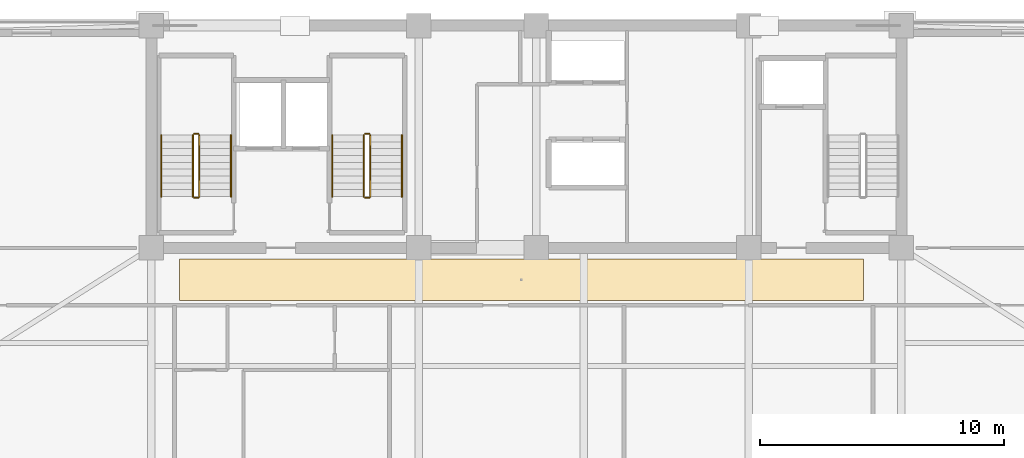
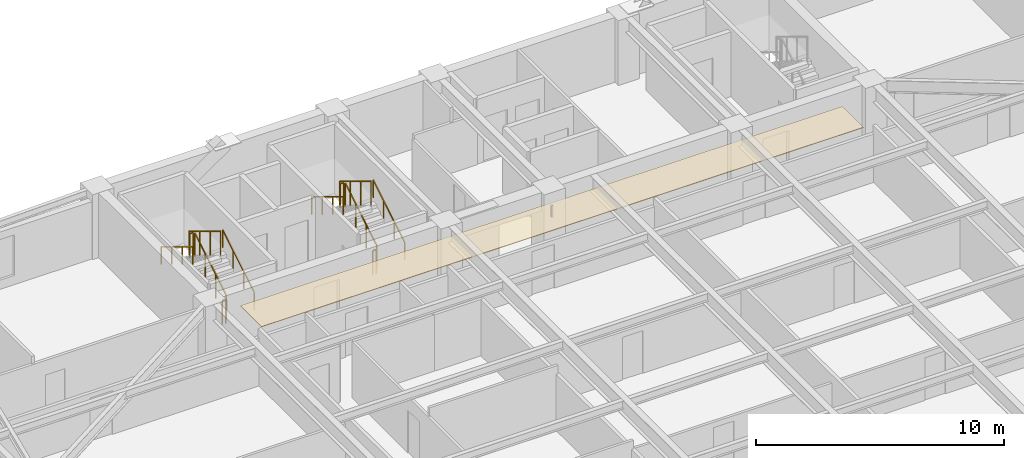
# One storey, part 14 of 16: 12 railings, 1 covering.
"""IFC4 building model written with IfcOpenShell, lengths in metres."""

from ifc_helpers import new_model, si_unit, direction, frame, origin, origin_2d, place, context, subcontext, project, spatial, polyline, rectangle, outline, extrude, material, layer, layer_set, type_object, element, save


model = new_model("IFC4")

# Units and contexts
model_context = context("Model", 3, precision=1e-05, world=origin(), true_north=direction((0.0, 1.0)))
body_context = subcontext(model_context, "Body", "Model", "MODEL_VIEW")
ifc_project = project(units=[si_unit("LENGTHUNIT", "METRE"), si_unit("AREAUNIT", "SQUARE_METRE"), si_unit("VOLUMEUNIT", "CUBIC_METRE"), si_unit("PLANEANGLEUNIT", "RADIAN"), si_unit("MASSUNIT", "GRAM", prefix="KILO")], contexts=[model_context])

# Site, building, storey
site_placement = place(None, origin())
site = spatial("IfcSite", under=ifc_project, at=site_placement, CompositionType="ELEMENT")
building_placement = place(site_placement, origin())
building = spatial("IfcBuilding", under=site, at=building_placement, Name="Giltprow Tower", CompositionType="ELEMENT")
storey_placement = place(building_placement, frame((0.0, 0.0, 227.0)))
storey = spatial("IfcBuildingStorey", under=building, at=storey_placement, Name="L57", CompositionType="ELEMENT", Elevation=227.0)

# Covering
ifc_material_1 = material(Name="Painted gypsum board", Category="gypsum")
ifc_layer = layer(ifc_material_1, 0.030029296875, Name="Painted gypsum board")
ifc_layer_set = layer_set([ifc_layer], Name="Painted gypsum board")
covering_type = type_object("IfcCoveringType", Name="COV-CLG-GYPSUM", PredefinedType="CEILING", material=ifc_layer_set)
covering_placement = place(storey_placement, frame((0.0, 0.0, 2.6201171875)))
element("IfcCovering", 1, at=covering_placement, inside=storey, type_object=covering_type, Name="L57 Residence Gallery Ceiling", PredefinedType="CEILING", context=body_context, shape_type="SweptSolid", body=[
    extrude(outline(polyline([(21.0, 35.300048828125), (49.0, 35.300048828125), (49.0, 37.0), (21.0, 37.0), (21.0, 35.300048828125)])), origin(), (0.0, 0.0, 1.0), 0.02978515625),
])

# Railings
ifc_material_2 = material(Name="Anodized bronze", Category="metal")
railing_type_1 = type_object("IfcRailingType", Name="RAIL-STAIR-GUARD-1200", PredefinedType="GUARDRAIL", material=ifc_material_2)
railing_1_placement = place(storey_placement, frame((21.81005859375, 39.550048828125, 0.169921875)))
element("IfcRailing", 2, at=railing_1_placement, inside=storey, type_object=railing_type_1, Name="L57 ST-1 stair guard 1", PredefinedType="GUARDRAIL", context=body_context, shape_type="SweptSolid", body=[
    extrude(rectangle(XDim=0.048095703125, YDim=0.048095703125, at=origin_2d()), frame((0.0, 0.0, 1.17578125), z_axis=(0.0, 0.85478489116, 0.518982456201), x_axis=(-1.0, 0.0, 0.0)), (0.0, 0.0, 1.0), 2.9482421875),
    extrude(rectangle(XDim=0.0419921875, YDim=0.0419921875, at=origin_2d()), origin(), (0.0, 0.0, 1.0), 1.15185546875),
    extrude(rectangle(XDim=0.0419921875, YDim=0.0419921875, at=origin_2d()), frame((0.0, 0.840087890625, 0.510009765625)), (0.0, 0.0, 1.0), 1.15185546875),
    extrude(rectangle(XDim=0.0419921875, YDim=0.0419921875, at=origin_2d()), frame((0.0, 1.679931640625, 1.02001953125)), (0.0, 0.0, 1.0), 1.15185546875),
    extrude(rectangle(XDim=0.0419921875, YDim=0.0419921875, at=origin_2d()), frame((0.0, 2.52001953125, 1.530029296875)), (0.0, 0.0, 1.0), 1.15185546875),
])
railing_2_placement = place(storey_placement, frame((21.760009765625, 42.1201171875, 1.699951171875)))
element("IfcRailing", 3, at=railing_2_placement, inside=storey, type_object=railing_type_1, Name="L57 ST-1 stair guard 2", PredefinedType="GUARDRAIL", context=body_context, shape_type="SweptSolid", body=[
    extrude(rectangle(XDim=0.048095703125, YDim=0.048095703125, at=origin_2d()), frame((0.0, 0.0, 1.17578125), z_axis=(-1.0, 0.0, 0.0), x_axis=(0.0, -1.0, 0.0)), (0.0, 0.0, 1.0), 0.159912109375),
    extrude(rectangle(XDim=0.0419921875, YDim=0.0419921875, at=origin_2d()), origin(), (0.0, 0.0, 1.0), 1.15185546875),
    extrude(rectangle(XDim=0.0419921875, YDim=0.0419921875, at=origin_2d()), frame((-0.159912109375, 0.0, 0.0)), (0.0, 0.0, 1.0), 1.15185546875),
])
railing_3_placement = place(storey_placement, frame((21.550048828125, 42.070068359375, 1.8701171875)))
element("IfcRailing", 4, at=railing_3_placement, inside=storey, type_object=railing_type_1, Name="L57 ST-1 stair guard 3", PredefinedType="GUARDRAIL", context=body_context, shape_type="SweptSolid", body=[
    extrude(rectangle(XDim=0.048095703125, YDim=0.048095703125, at=origin_2d()), frame((0.0, 0.0, 1.17578125), z_axis=(0.0, -0.854821627497, 0.518921945155), x_axis=(1.0, 0.0, 0.0)), (0.0, 0.0, 1.0), 2.947998046875),
    extrude(rectangle(XDim=0.0419921875, YDim=0.0419921875, at=origin_2d()), origin(), (0.0, 0.0, 1.0), 1.15185546875),
    extrude(rectangle(XDim=0.0419921875, YDim=0.0419921875, at=origin_2d()), frame((0.0, -0.840087890625, 0.510009765625)), (0.0, 0.0, 1.0), 1.15185546875),
    extrude(rectangle(XDim=0.0419921875, YDim=0.0419921875, at=origin_2d()), frame((0.0, -1.679931640625, 1.019775390625)), (0.0, 0.0, 1.0), 1.15185546875),
    extrude(rectangle(XDim=0.0419921875, YDim=0.0419921875, at=origin_2d()), frame((0.0, -2.52001953125, 1.52978515625)), (0.0, 0.0, 1.0), 1.15185546875),
])
railing_4_placement = place(storey_placement, frame((21.760009765625, 39.5, 0.0)))
element("IfcRailing", 5, at=railing_4_placement, inside=storey, type_object=railing_type_1, Name="L57 ST-1 stair guard 4", PredefinedType="GUARDRAIL", context=body_context, shape_type="SweptSolid", body=[
    extrude(rectangle(XDim=0.048095703125, YDim=0.048095703125, at=origin_2d()), frame((0.0, 0.0, 1.17578125), z_axis=(-1.0, 0.0, 0.0), x_axis=(0.0, -1.0, 0.0)), (0.0, 0.0, 1.0), 0.159912109375),
    extrude(rectangle(XDim=0.0419921875, YDim=0.0419921875, at=origin_2d()), origin(), (0.0, 0.0, 1.0), 1.15185546875),
    extrude(rectangle(XDim=0.0419921875, YDim=0.0419921875, at=origin_2d()), frame((-0.159912109375, 0.0, 0.0)), (0.0, 0.0, 1.0), 1.15185546875),
])
railing_5_placement = place(storey_placement, frame((28.81005859375, 39.550048828125, 0.169921875)))
element("IfcRailing", 6, at=railing_5_placement, inside=storey, type_object=railing_type_1, Name="L57 ST-2 stair guard 1", PredefinedType="GUARDRAIL", context=body_context, shape_type="SweptSolid", body=[
    extrude(rectangle(XDim=0.048095703125, YDim=0.048095703125, at=origin_2d()), frame((0.0, 0.0, 1.17578125), z_axis=(0.0, 0.85478489116, 0.518982456201), x_axis=(-1.0, 0.0, 0.0)), (0.0, 0.0, 1.0), 2.9482421875),
    extrude(rectangle(XDim=0.0419921875, YDim=0.0419921875, at=origin_2d()), origin(), (0.0, 0.0, 1.0), 1.15185546875),
    extrude(rectangle(XDim=0.0419921875, YDim=0.0419921875, at=origin_2d()), frame((0.0, 0.840087890625, 0.510009765625)), (0.0, 0.0, 1.0), 1.15185546875),
    extrude(rectangle(XDim=0.0419921875, YDim=0.0419921875, at=origin_2d()), frame((0.0, 1.679931640625, 1.02001953125)), (0.0, 0.0, 1.0), 1.15185546875),
    extrude(rectangle(XDim=0.0419921875, YDim=0.0419921875, at=origin_2d()), frame((0.0, 2.52001953125, 1.530029296875)), (0.0, 0.0, 1.0), 1.15185546875),
])
railing_6_placement = place(storey_placement, frame((28.760009765625, 42.1201171875, 1.699951171875)))
element("IfcRailing", 7, at=railing_6_placement, inside=storey, type_object=railing_type_1, Name="L57 ST-2 stair guard 2", PredefinedType="GUARDRAIL", context=body_context, shape_type="SweptSolid", body=[
    extrude(rectangle(XDim=0.048095703125, YDim=0.048095703125, at=origin_2d()), frame((0.0, 0.0, 1.17578125), z_axis=(-1.0, 0.0, 0.0), x_axis=(0.0, -1.0, 0.0)), (0.0, 0.0, 1.0), 0.159912109375),
    extrude(rectangle(XDim=0.0419921875, YDim=0.0419921875, at=origin_2d()), origin(), (0.0, 0.0, 1.0), 1.15185546875),
    extrude(rectangle(XDim=0.0419921875, YDim=0.0419921875, at=origin_2d()), frame((-0.159912109375, 0.0, 0.0)), (0.0, 0.0, 1.0), 1.15185546875),
])
railing_7_placement = place(storey_placement, frame((28.550048828125, 42.070068359375, 1.8701171875)))
element("IfcRailing", 8, at=railing_7_placement, inside=storey, type_object=railing_type_1, Name="L57 ST-2 stair guard 3", PredefinedType="GUARDRAIL", context=body_context, shape_type="SweptSolid", body=[
    extrude(rectangle(XDim=0.048095703125, YDim=0.048095703125, at=origin_2d()), frame((0.0, 0.0, 1.17578125), z_axis=(0.0, -0.854821627497, 0.518921945155), x_axis=(1.0, 0.0, 0.0)), (0.0, 0.0, 1.0), 2.947998046875),
    extrude(rectangle(XDim=0.0419921875, YDim=0.0419921875, at=origin_2d()), origin(), (0.0, 0.0, 1.0), 1.15185546875),
    extrude(rectangle(XDim=0.0419921875, YDim=0.0419921875, at=origin_2d()), frame((0.0, -0.840087890625, 0.510009765625)), (0.0, 0.0, 1.0), 1.15185546875),
    extrude(rectangle(XDim=0.0419921875, YDim=0.0419921875, at=origin_2d()), frame((0.0, -1.679931640625, 1.019775390625)), (0.0, 0.0, 1.0), 1.15185546875),
    extrude(rectangle(XDim=0.0419921875, YDim=0.0419921875, at=origin_2d()), frame((0.0, -2.52001953125, 1.52978515625)), (0.0, 0.0, 1.0), 1.15185546875),
])
railing_8_placement = place(storey_placement, frame((28.760009765625, 39.5, 0.0)))
element("IfcRailing", 9, at=railing_8_placement, inside=storey, type_object=railing_type_1, Name="L57 ST-2 stair guard 4", PredefinedType="GUARDRAIL", context=body_context, shape_type="SweptSolid", body=[
    extrude(rectangle(XDim=0.048095703125, YDim=0.048095703125, at=origin_2d()), frame((0.0, 0.0, 1.17578125), z_axis=(-1.0, 0.0, 0.0), x_axis=(0.0, -1.0, 0.0)), (0.0, 0.0, 1.0), 0.159912109375),
    extrude(rectangle(XDim=0.0419921875, YDim=0.0419921875, at=origin_2d()), origin(), (0.0, 0.0, 1.0), 1.15185546875),
    extrude(rectangle(XDim=0.0419921875, YDim=0.0419921875, at=origin_2d()), frame((-0.159912109375, 0.0, 0.0)), (0.0, 0.0, 1.0), 1.15185546875),
])
railing_type_2 = type_object("IfcRailingType", Name="RAIL-STAIR-HAND-900", PredefinedType="HANDRAIL", material=ifc_material_2)
railing_9_placement = place(storey_placement, frame((23.110107421875, 39.550048828125, 0.169921875)))
element("IfcRailing", 10, at=railing_9_placement, inside=storey, type_object=railing_type_2, Name="L57 ST-1 stair handrail 1", PredefinedType="HANDRAIL", context=body_context, shape_type="SweptSolid", body=[
    extrude(rectangle(XDim=0.048095703125, YDim=0.048095703125, at=origin_2d()), frame((0.0, 0.0, 0.8759765625), z_axis=(0.0, 0.85478489116, 0.518982456201), x_axis=(-1.0, 0.0, 0.0)), (0.0, 0.0, 1.0), 2.9482421875),
    extrude(rectangle(XDim=0.0419921875, YDim=0.0419921875, at=origin_2d()), origin(), (0.0, 0.0, 1.0), 0.851806640625),
    extrude(rectangle(XDim=0.0419921875, YDim=0.0419921875, at=origin_2d()), frame((0.0, 0.840087890625, 0.510009765625)), (0.0, 0.0, 1.0), 0.851806640625),
    extrude(rectangle(XDim=0.0419921875, YDim=0.0419921875, at=origin_2d()), frame((0.0, 1.679931640625, 1.02001953125)), (0.0, 0.0, 1.0), 0.851806640625),
    extrude(rectangle(XDim=0.0419921875, YDim=0.0419921875, at=origin_2d()), frame((0.0, 2.52001953125, 1.530029296875)), (0.0, 0.0, 1.0), 0.851806640625),
])
railing_10_placement = place(storey_placement, frame((20.25, 42.070068359375, 1.8701171875)))
element("IfcRailing", 11, at=railing_10_placement, inside=storey, type_object=railing_type_2, Name="L57 ST-1 stair handrail 2", PredefinedType="HANDRAIL", context=body_context, shape_type="SweptSolid", body=[
    extrude(rectangle(XDim=0.048095703125, YDim=0.048095703125, at=origin_2d()), frame((0.0, 0.0, 0.8759765625), z_axis=(0.0, -0.854821627497, 0.518921945155), x_axis=(1.0, 0.0, 0.0)), (0.0, 0.0, 1.0), 2.947998046875),
    extrude(rectangle(XDim=0.0419921875, YDim=0.0419921875, at=origin_2d()), origin(), (0.0, 0.0, 1.0), 0.851806640625),
    extrude(rectangle(XDim=0.0419921875, YDim=0.0419921875, at=origin_2d()), frame((0.0, -0.840087890625, 0.510009765625)), (0.0, 0.0, 1.0), 0.851806640625),
    extrude(rectangle(XDim=0.0419921875, YDim=0.0419921875, at=origin_2d()), frame((0.0, -1.679931640625, 1.019775390625)), (0.0, 0.0, 1.0), 0.851806640625),
    extrude(rectangle(XDim=0.0419921875, YDim=0.0419921875, at=origin_2d()), frame((0.0, -2.52001953125, 1.52978515625)), (0.0, 0.0, 1.0), 0.851806640625),
])
railing_11_placement = place(storey_placement, frame((30.110107421875, 39.550048828125, 0.169921875)))
element("IfcRailing", 12, at=railing_11_placement, inside=storey, type_object=railing_type_2, Name="L57 ST-2 stair handrail 1", PredefinedType="HANDRAIL", context=body_context, shape_type="SweptSolid", body=[
    extrude(rectangle(XDim=0.048095703125, YDim=0.048095703125, at=origin_2d()), frame((0.0, 0.0, 0.8759765625), z_axis=(0.0, 0.85478489116, 0.518982456201), x_axis=(-1.0, 0.0, 0.0)), (0.0, 0.0, 1.0), 2.9482421875),
    extrude(rectangle(XDim=0.0419921875, YDim=0.0419921875, at=origin_2d()), origin(), (0.0, 0.0, 1.0), 0.851806640625),
    extrude(rectangle(XDim=0.0419921875, YDim=0.0419921875, at=origin_2d()), frame((0.0, 0.840087890625, 0.510009765625)), (0.0, 0.0, 1.0), 0.851806640625),
    extrude(rectangle(XDim=0.0419921875, YDim=0.0419921875, at=origin_2d()), frame((0.0, 1.679931640625, 1.02001953125)), (0.0, 0.0, 1.0), 0.851806640625),
    extrude(rectangle(XDim=0.0419921875, YDim=0.0419921875, at=origin_2d()), frame((0.0, 2.52001953125, 1.530029296875)), (0.0, 0.0, 1.0), 0.851806640625),
])
railing_12_placement = place(storey_placement, frame((27.25, 42.070068359375, 1.8701171875)))
element("IfcRailing", 13, at=railing_12_placement, inside=storey, type_object=railing_type_2, Name="L57 ST-2 stair handrail 2", PredefinedType="HANDRAIL", context=body_context, shape_type="SweptSolid", body=[
    extrude(rectangle(XDim=0.048095703125, YDim=0.048095703125, at=origin_2d()), frame((0.0, 0.0, 0.8759765625), z_axis=(0.0, -0.854821627497, 0.518921945155), x_axis=(1.0, 0.0, 0.0)), (0.0, 0.0, 1.0), 2.947998046875),
    extrude(rectangle(XDim=0.0419921875, YDim=0.0419921875, at=origin_2d()), origin(), (0.0, 0.0, 1.0), 0.851806640625),
    extrude(rectangle(XDim=0.0419921875, YDim=0.0419921875, at=origin_2d()), frame((0.0, -0.840087890625, 0.510009765625)), (0.0, 0.0, 1.0), 0.851806640625),
    extrude(rectangle(XDim=0.0419921875, YDim=0.0419921875, at=origin_2d()), frame((0.0, -1.679931640625, 1.019775390625)), (0.0, 0.0, 1.0), 0.851806640625),
    extrude(rectangle(XDim=0.0419921875, YDim=0.0419921875, at=origin_2d()), frame((0.0, -2.52001953125, 1.52978515625)), (0.0, 0.0, 1.0), 0.851806640625),
])

save(model, "model.ifc")
